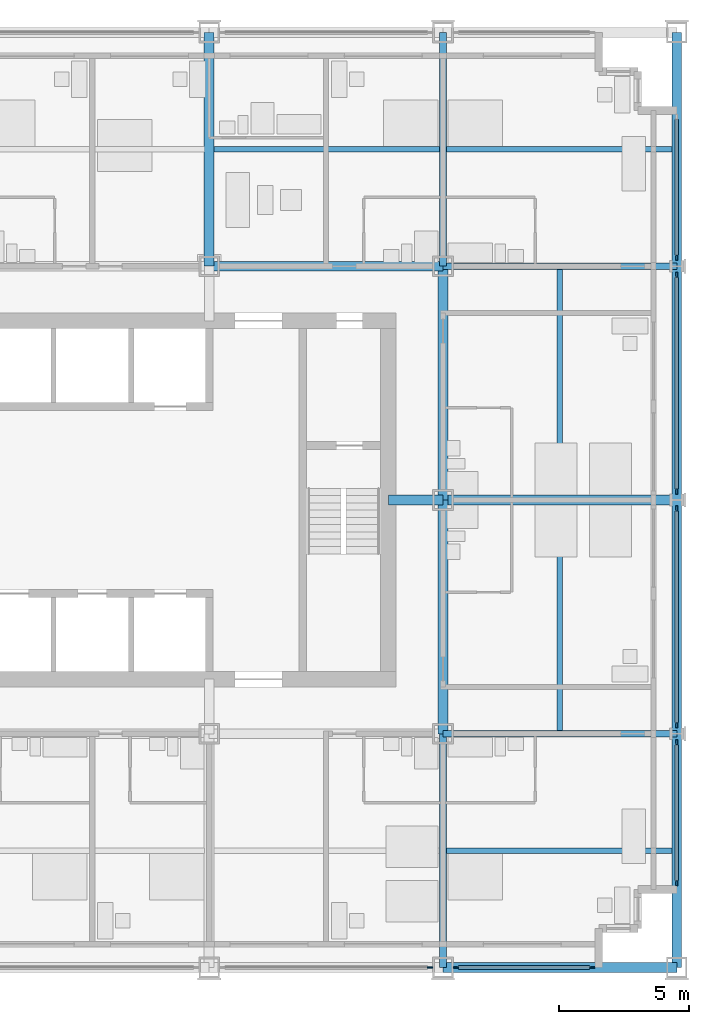
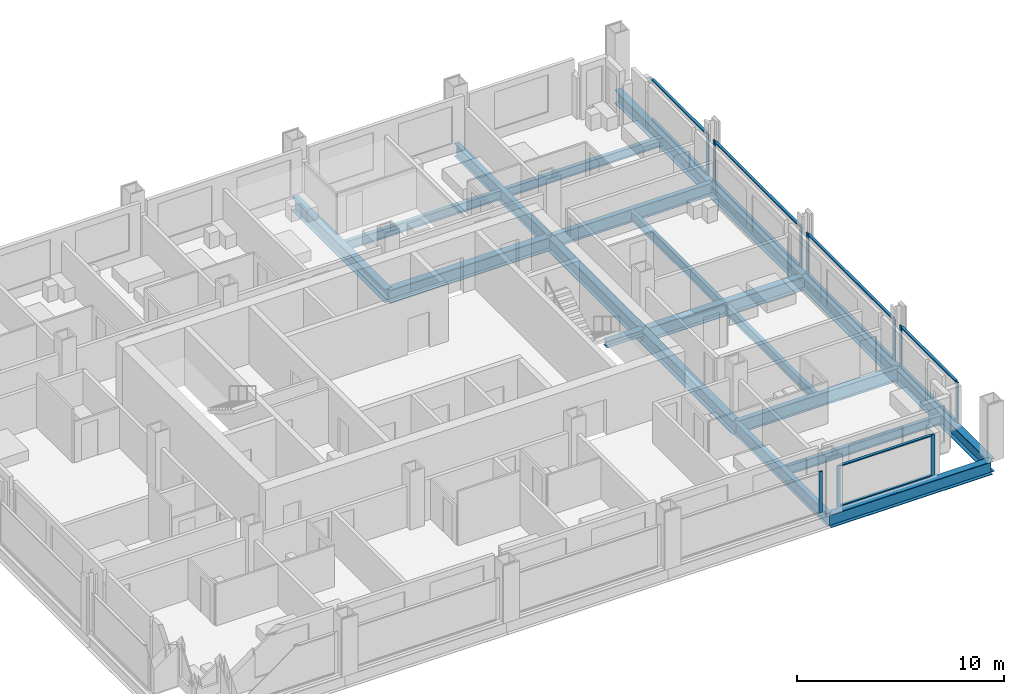
# One storey, part 5 of 16: 21 members, 19 beams, 6 elements without a shape of their own.
"""IFC4 building model written with IfcOpenShell, lengths in metres."""

from ifc_helpers import new_model, si_unit, direction, frame, origin, origin_2d, place, context, subcontext, project, spatial, rectangle, i_section, extrude, material, material_profile, profile_set, type_object, element, aggregate, save


model = new_model("IFC4")

# Units and contexts
model_context = context("Model", 3, precision=1e-05, world=origin(), true_north=direction((0.0, 1.0)))
body_context = subcontext(model_context, "Body", "Model", "MODEL_VIEW")
ifc_project = project(units=[si_unit("LENGTHUNIT", "METRE"), si_unit("AREAUNIT", "SQUARE_METRE"), si_unit("VOLUMEUNIT", "CUBIC_METRE"), si_unit("PLANEANGLEUNIT", "RADIAN"), si_unit("MASSUNIT", "GRAM", prefix="KILO")], contexts=[model_context])

# Site, building, storey
site_placement = place(None, origin())
site = spatial("IfcSite", under=ifc_project, at=site_placement, CompositionType="ELEMENT")
building_placement = place(site_placement, origin())
building = spatial("IfcBuilding", under=site, at=building_placement, Name="Loomwork Tower", CompositionType="ELEMENT")
storey_placement = place(building_placement, frame((0.0, 0.0, 104.39990234375)))
storey = spatial("IfcBuildingStorey", under=building, at=storey_placement, Name="L27", CompositionType="ELEMENT", Elevation=104.39990234375)

# Beams
ifc_material_1 = material(Name="Steel ASTM A992", Category="steel")
ifc_material_profile_1 = material_profile(ifc_material_1, i_section(OverallWidth=0.383544921875, OverallDepth=0.794921875, WebThickness=0.02099609375, FlangeThickness=0.0380859375, at=origin_2d()), Name="W30x235")
ifc_profile_set_1 = profile_set([ifc_material_profile_1], Name="Steel ASTM A992")
beam_type_1 = type_object("IfcBeamType", Name="CORE FLANK GIRDER W30x235", PredefinedType="BEAM", material=ifc_profile_set_1)
for number, where, z_axis, x_axis, name in (
    (1, (36.0, 18.0, -0.597412109375), (1.0, 0.0, 0.0), (0.0, 1.0, 0.0), "Core Flank Girder F/6-F/7 L27"),
    (2, (27.0, 27.0, -0.597412109375), (1.0, 0.0, 0.0), (0.0, 1.0, 0.0), "Core Flank Girder G/5-G/6 L27"),
    (3, (27.0, 27.0, -0.597412109375), (0.0, 1.0, 0.0), (-1.0, 0.0, 0.0), "Core Flank Girder G/5-H/5 L27"),
    (4, (36.0, 9.0, -0.597412109375), (0.0, 1.0, 0.0), (-1.0, 0.0, 0.0), "Core Flank Girder E/6-F/6 L27"),
    (5, (36.0, 18.0, -0.597412109375), (0.0, 1.0, 0.0), (-1.0, 0.0, 0.0), "Core Flank Girder F/6-G/6 L27"),
):
    element("IfcBeam", number, at=place(storey_placement, frame(where, z_axis=z_axis, x_axis=x_axis)), inside=storey, type_object=beam_type_1, Name=name, PredefinedType="BEAM", context=body_context, shape_type="SweptSolid", body=[
        extrude(i_section(OverallWidth=0.383544921875, OverallDepth=0.794921875, WebThickness=0.02099609375, FlangeThickness=0.0380859375, at=origin_2d()), origin(), (0.0, 0.0, 1.0), 9.0),
    ])

# Member
ifc_material_2 = material(Name="Steel ASTM A992", Category="steel")
ifc_material_profile_2 = material_profile(ifc_material_2, i_section(OverallWidth=0.373291015625, OverallDepth=0.373291015625, WebThickness=0.016357421875, FlangeThickness=0.026123046875, at=origin_2d()), Name="W14x132")
ifc_profile_set_2 = profile_set([ifc_material_profile_2], Name="Steel ASTM A992")
member_type_1 = type_object("IfcMemberType", Name="CORE LINK STRUT W14x132", PredefinedType="STRUT", material=ifc_profile_set_2)
member_1_placement = place(storey_placement, frame((36.0, 18.0, -0.386474609375), z_axis=(-1.0, 0.0, 0.0), x_axis=(0.0, -1.0, 0.0)))
element("IfcMember", 6, at=member_1_placement, inside=storey, type_object=member_type_1, Name="Core link strut F/6-33.900,18.000 L27", PredefinedType="STRUT", context=body_context, shape_type="SweptSolid", body=[
    extrude(i_section(OverallWidth=0.373291015625, OverallDepth=0.373291015625, WebThickness=0.016357421875, FlangeThickness=0.026123046875, at=origin_2d()), origin(), (0.0, 0.0, 1.0), 2.10009765625),
])

# Beams
ifc_material_3 = material(Name="Steel ASTM A992", Category="steel")
ifc_material_profile_3 = material_profile(ifc_material_3, i_section(OverallWidth=0.2666015625, OverallDepth=0.761962890625, WebThickness=0.014404296875, FlangeThickness=0.021484375, at=origin_2d()), Name="W30x116")
ifc_profile_set_3 = profile_set([ifc_material_profile_3], Name="Steel ASTM A992")
beam_type_2 = type_object("IfcBeamType", Name="FLOOR GIRDER W30x116", PredefinedType="BEAM", material=ifc_profile_set_3)
for number, where, z_axis, x_axis, name in (
    (7, (36.0, 9.0, -0.580810546875), (1.0, 0.0, 0.0), (0.0, 1.0, 0.0), "Floor Girder E/6-E/7 L27"),
    (8, (36.0, 27.0, -0.580810546875), (1.0, 0.0, 0.0), (0.0, 1.0, 0.0), "Floor Girder G/6-G/7 L27"),
    (9, (36.0, 0.0, -0.580810546875), (0.0, 1.0, 0.0), (-1.0, 0.0, 0.0), "Floor Girder D/6-E/6 L27"),
    (10, (36.0, 27.0, -0.580810546875), (0.0, 1.0, 0.0), (-1.0, 0.0, 0.0), "Floor Girder G/6-H/6 L27"),
):
    element("IfcBeam", number, at=place(storey_placement, frame(where, z_axis=z_axis, x_axis=x_axis)), inside=storey, type_object=beam_type_2, Name=name, PredefinedType="BEAM", context=body_context, shape_type="SweptSolid", body=[
        extrude(i_section(OverallWidth=0.2666015625, OverallDepth=0.761962890625, WebThickness=0.014404296875, FlangeThickness=0.021484375, at=origin_2d()), origin(), (0.0, 0.0, 1.0), 9.0),
    ])
ifc_material_4 = material(Name="Steel ASTM A992", Category="steel")
ifc_material_profile_4 = material_profile(ifc_material_4, i_section(OverallWidth=0.2109375, OverallDepth=0.53857421875, WebThickness=0.011474609375, FlangeThickness=0.018798828125, at=origin_2d()), Name="W21x73")
ifc_profile_set_4 = profile_set([ifc_material_profile_4], Name="Steel ASTM A992")
beam_type_3 = type_object("IfcBeamType", Name="FLOOR JOIST W21x73", PredefinedType="JOIST", material=ifc_profile_set_4)
beam_1_placement = place(storey_placement, frame((27.19091796875, 31.5, -0.46923828125), z_axis=(1.0, 0.0, 0.0), x_axis=(0.0, 1.0, 0.0)))
element("IfcBeam", 11, at=beam_1_placement, inside=storey, type_object=beam_type_3, Name="Floor Joist 27.000,31.500-36.000,31.500 L27", PredefinedType="JOIST", context=body_context, shape_type="SweptSolid", body=[
    extrude(i_section(OverallWidth=0.2109375, OverallDepth=0.53857421875, WebThickness=0.011474609375, FlangeThickness=0.018798828125, at=origin_2d()), origin(), (0.0, 0.0, 1.0), 8.676025390625),
])
beam_2_placement = place(storey_placement, frame((36.133056640625, 4.5, -0.46923828125), z_axis=(1.0, 0.0, 0.0), x_axis=(0.0, 1.0, 0.0)))
element("IfcBeam", 12, at=beam_2_placement, inside=storey, type_object=beam_type_3, Name="Floor Joist 36.000,4.500-45.000,4.500 L27", PredefinedType="JOIST", context=body_context, shape_type="SweptSolid", body=[
    extrude(i_section(OverallWidth=0.2109375, OverallDepth=0.53857421875, WebThickness=0.011474609375, FlangeThickness=0.018798828125, at=origin_2d()), origin(), (0.0, 0.0, 1.0), 8.677001953125),
])
for number, where, z_axis, x_axis, name in (
    (13, (40.5, 9.133056640625, -0.46923828125), (0.0, 1.0, 0.0), (-1.0, 0.0, 0.0), "Floor Joist 40.500,9.000-40.500,18.000 L27"),
    (14, (40.5, 18.19091796875, -0.46923828125), (0.0, 1.0, 0.0), (-1.0, 0.0, 0.0), "Floor Joist 40.500,18.000-40.500,27.000 L27"),
):
    element("IfcBeam", number, at=place(storey_placement, frame(where, z_axis=z_axis, x_axis=x_axis)), inside=storey, type_object=beam_type_3, Name=name, PredefinedType="JOIST", context=body_context, shape_type="SweptSolid", body=[
        extrude(i_section(OverallWidth=0.2109375, OverallDepth=0.53857421875, WebThickness=0.011474609375, FlangeThickness=0.018798828125, at=origin_2d()), origin(), (0.0, 0.0, 1.0), 8.676025390625),
    ])
beam_3_placement = place(storey_placement, frame((36.133056640625, 31.5, -0.46923828125), z_axis=(1.0, 0.0, 0.0), x_axis=(0.0, 1.0, 0.0)))
element("IfcBeam", 15, at=beam_3_placement, inside=storey, type_object=beam_type_3, Name="Floor Joist 36.000,31.500-45.000,31.500 L27", PredefinedType="JOIST", context=body_context, shape_type="SweptSolid", body=[
    extrude(i_section(OverallWidth=0.2109375, OverallDepth=0.53857421875, WebThickness=0.011474609375, FlangeThickness=0.018798828125, at=origin_2d()), origin(), (0.0, 0.0, 1.0), 8.677001953125),
])

# Curtain wall, member
ifc_material_5 = material(Name="Aluminium curtain wall frame", Category="aluminium")
curtain_wall_type = type_object("IfcCurtainWallType", Name="Outer skin glazing hotel", PredefinedType="NOTDEFINED", material=ifc_material_5)
curtain_wall_1_placement = place(storey_placement, origin())
curtain_wall_1 = element("IfcCurtainWall", 16, at=curtain_wall_1_placement, inside=storey, type_object=curtain_wall_type, Name="Outer skin glazing hotel cw/S-27", PredefinedType="NOTDEFINED")
ifc_material_6 = material(Name="Aluminium curtain wall frame", Category="aluminium")
ifc_material_profile_5 = material_profile(ifc_material_6, rectangle(XDim=0.06494140625, YDim=0.199951171875, at=origin_2d()), Name="AL 65x200")
ifc_profile_set_5 = profile_set([ifc_material_profile_5], Name="Aluminium curtain wall frame")
member_type_2 = type_object("IfcMemberType", Name="Outer skin glazing hotel mullion", PredefinedType="MULLION", material=ifc_profile_set_5)
member_2_placement = place(storey_placement, frame((35.5, 0.0, 0.0), z_axis=(0.0, 0.0, 1.0), x_axis=(0.0, 1.0, 0.0)))
member_2 = element("IfcMember", 17, at=member_2_placement, type_object=member_type_2, Name="CW1 mullion 2", PredefinedType="MULLION", context=body_context, shape_type="SweptSolid", body=[
    extrude(rectangle(XDim=0.06494140625, YDim=0.199951171875, at=origin_2d()), origin(), (0.0, 0.0, 1.0), 2.42041015625),
])
aggregate(curtain_wall_1, [member_2])

# Curtain wall, members
curtain_wall_2_placement = place(storey_placement, origin())
curtain_wall_2 = element("IfcCurtainWall", 18, at=curtain_wall_2_placement, inside=storey, type_object=curtain_wall_type, Name="Outer skin glazing hotel cw/S-36", PredefinedType="NOTDEFINED")
member_3_placement = place(storey_placement, frame((36.5, 0.0, 0.0), z_axis=(0.0, 0.0, 1.0), x_axis=(0.0, 1.0, 0.0)))
member_3 = element("IfcMember", 19, at=member_3_placement, type_object=member_type_2, Name="CW1 mullion 1", PredefinedType="MULLION", context=body_context, shape_type="SweptSolid", body=[
    extrude(rectangle(XDim=0.06494140625, YDim=0.199951171875, at=origin_2d()), origin(), (0.0, 0.0, 1.0), 2.42041015625),
])
member_4_placement = place(storey_placement, frame((41.75, 0.0, 0.0), z_axis=(0.0, 0.0, 1.0), x_axis=(0.0, 1.0, 0.0)))
member_4 = element("IfcMember", 20, at=member_4_placement, type_object=member_type_2, Name="CW1 mullion 2", PredefinedType="MULLION", context=body_context, shape_type="SweptSolid", body=[
    extrude(rectangle(XDim=0.06494140625, YDim=0.199951171875, at=origin_2d()), origin(), (0.0, 0.0, 1.0), 2.42041015625),
])

curtain_wall_3_placement = place(storey_placement, origin())
curtain_wall_3 = element("IfcCurtainWall", 21, at=curtain_wall_3_placement, inside=storey, type_object=curtain_wall_type, Name="Outer skin glazing hotel cw/E-0", PredefinedType="NOTDEFINED")
member_5_placement = place(storey_placement, frame((45.0, 3.25, 0.0), z_axis=(0.0, 0.0, 1.0), x_axis=(-1.0, 0.0, 0.0)))
member_5 = element("IfcMember", 22, at=member_5_placement, type_object=member_type_2, Name="CW1 mullion 1", PredefinedType="MULLION", context=body_context, shape_type="SweptSolid", body=[
    extrude(rectangle(XDim=0.06494140625, YDim=0.199951171875, at=origin_2d()), origin(), (0.0, 0.0, 1.0), 2.42041015625),
])
member_6_placement = place(storey_placement, frame((45.0, 8.67529296875, 0.0), z_axis=(0.0, 0.0, 1.0), x_axis=(-1.0, 0.0, 0.0)))
member_6 = element("IfcMember", 23, at=member_6_placement, type_object=member_type_2, Name="CW1 mullion 2", PredefinedType="MULLION", context=body_context, shape_type="SweptSolid", body=[
    extrude(rectangle(XDim=0.06494140625, YDim=0.199951171875, at=origin_2d()), origin(), (0.0, 0.0, 1.0), 2.42041015625),
])

curtain_wall_4_placement = place(storey_placement, origin())
curtain_wall_4 = element("IfcCurtainWall", 24, at=curtain_wall_4_placement, inside=storey, type_object=curtain_wall_type, Name="Outer skin glazing hotel cw/E-9", PredefinedType="NOTDEFINED")
member_7_placement = place(storey_placement, frame((45.0, 9.32470703125, 0.0), z_axis=(0.0, 0.0, 1.0), x_axis=(-1.0, 0.0, 0.0)))
member_7 = element("IfcMember", 25, at=member_7_placement, type_object=member_type_2, Name="CW1 mullion 1", PredefinedType="MULLION", context=body_context, shape_type="SweptSolid", body=[
    extrude(rectangle(XDim=0.06494140625, YDim=0.199951171875, at=origin_2d()), origin(), (0.0, 0.0, 1.0), 2.42041015625),
])
member_8_placement = place(storey_placement, frame((45.0, 17.67529296875, 0.0), z_axis=(0.0, 0.0, 1.0), x_axis=(-1.0, 0.0, 0.0)))
member_8 = element("IfcMember", 26, at=member_8_placement, type_object=member_type_2, Name="CW1 mullion 2", PredefinedType="MULLION", context=body_context, shape_type="SweptSolid", body=[
    extrude(rectangle(XDim=0.06494140625, YDim=0.199951171875, at=origin_2d()), origin(), (0.0, 0.0, 1.0), 2.42041015625),
])

curtain_wall_5_placement = place(storey_placement, origin())
curtain_wall_5 = element("IfcCurtainWall", 27, at=curtain_wall_5_placement, inside=storey, type_object=curtain_wall_type, Name="Outer skin glazing hotel cw/E-18", PredefinedType="NOTDEFINED")
member_9_placement = place(storey_placement, frame((45.0, 18.32470703125, 0.0), z_axis=(0.0, 0.0, 1.0), x_axis=(-1.0, 0.0, 0.0)))
member_9 = element("IfcMember", 28, at=member_9_placement, type_object=member_type_2, Name="CW1 mullion 1", PredefinedType="MULLION", context=body_context, shape_type="SweptSolid", body=[
    extrude(rectangle(XDim=0.06494140625, YDim=0.199951171875, at=origin_2d()), origin(), (0.0, 0.0, 1.0), 2.42041015625),
])
member_10_placement = place(storey_placement, frame((45.0, 26.67529296875, 0.0), z_axis=(0.0, 0.0, 1.0), x_axis=(-1.0, 0.0, 0.0)))
member_10 = element("IfcMember", 29, at=member_10_placement, type_object=member_type_2, Name="CW1 mullion 2", PredefinedType="MULLION", context=body_context, shape_type="SweptSolid", body=[
    extrude(rectangle(XDim=0.06494140625, YDim=0.199951171875, at=origin_2d()), origin(), (0.0, 0.0, 1.0), 2.42041015625),
])

# Curtain wall, member
curtain_wall_6_placement = place(storey_placement, origin())
curtain_wall_6 = element("IfcCurtainWall", 30, at=curtain_wall_6_placement, inside=storey, type_object=curtain_wall_type, Name="Outer skin glazing hotel cw/E-27", PredefinedType="NOTDEFINED")
member_11_placement = place(storey_placement, frame((45.0, 27.32470703125, 0.0), z_axis=(0.0, 0.0, 1.0), x_axis=(-1.0, 0.0, 0.0)))
member_11 = element("IfcMember", 31, at=member_11_placement, type_object=member_type_2, Name="CW1 mullion 1", PredefinedType="MULLION", context=body_context, shape_type="SweptSolid", body=[
    extrude(rectangle(XDim=0.06494140625, YDim=0.199951171875, at=origin_2d()), origin(), (0.0, 0.0, 1.0), 2.42041015625),
])

# Member
ifc_material_7 = material(Name="Aluminium curtain wall frame", Category="aluminium")
ifc_material_profile_6 = material_profile(ifc_material_7, rectangle(XDim=0.14990234375, YDim=0.06494140625, at=origin_2d()), Name="AL 65x150")
ifc_profile_set_6 = profile_set([ifc_material_profile_6], Name="Aluminium curtain wall frame")
member_type_3 = type_object("IfcMemberType", Name="Outer skin glazing hotel transom", PredefinedType="USERDEFINED", material=ifc_profile_set_6)
member_12_placement = place(storey_placement, frame((36.60009765625, 0.0, 0.03271484375), z_axis=(1.0, 0.0, 0.0), x_axis=(0.0, 1.0, 0.0)))
member_12 = element("IfcMember", 32, at=member_12_placement, type_object=member_type_3, Name="CW1 transom 1.1", ObjectType="TRANSOM", PredefinedType="USERDEFINED", context=body_context, shape_type="SweptSolid", body=[
    extrude(rectangle(XDim=0.14990234375, YDim=0.06494140625, at=origin_2d()), origin(), (0.0, 0.0, 1.0), 5.0498046875),
])

member_13_placement = place(storey_placement, frame((36.60009765625, 0.0, 2.3876953125), z_axis=(1.0, 0.0, 0.0), x_axis=(0.0, 1.0, 0.0)))
member_13 = element("IfcMember", 33, at=member_13_placement, type_object=member_type_3, Name="CW1 transom 1.2", ObjectType="TRANSOM", PredefinedType="USERDEFINED", context=body_context, shape_type="SweptSolid", body=[
    extrude(rectangle(XDim=0.14990234375, YDim=0.06494140625, at=origin_2d()), origin(), (0.0, 0.0, 1.0), 5.0498046875),
])

aggregate(curtain_wall_2, [member_3, member_4, member_12, member_13])

member_14_placement = place(storey_placement, frame((45.0, 3.35009765625, 0.03271484375), z_axis=(0.0, 1.0, 0.0), x_axis=(-1.0, 0.0, 0.0)))
member_14 = element("IfcMember", 34, at=member_14_placement, type_object=member_type_3, Name="CW1 transom 1.1", ObjectType="TRANSOM", PredefinedType="USERDEFINED", context=body_context, shape_type="SweptSolid", body=[
    extrude(rectangle(XDim=0.14990234375, YDim=0.06494140625, at=origin_2d()), origin(), (0.0, 0.0, 1.0), 5.22509765625),
])

member_15_placement = place(storey_placement, frame((45.0, 3.35009765625, 2.3876953125), z_axis=(0.0, 1.0, 0.0), x_axis=(-1.0, 0.0, 0.0)))
member_15 = element("IfcMember", 35, at=member_15_placement, type_object=member_type_3, Name="CW1 transom 1.2", ObjectType="TRANSOM", PredefinedType="USERDEFINED", context=body_context, shape_type="SweptSolid", body=[
    extrude(rectangle(XDim=0.14990234375, YDim=0.06494140625, at=origin_2d()), origin(), (0.0, 0.0, 1.0), 5.22509765625),
])

aggregate(curtain_wall_3, [member_5, member_6, member_14, member_15])

member_16_placement = place(storey_placement, frame((45.0, 9.4248046875, 0.03271484375), z_axis=(0.0, 1.0, 0.0), x_axis=(-1.0, 0.0, 0.0)))
member_16 = element("IfcMember", 36, at=member_16_placement, type_object=member_type_3, Name="CW1 transom 1.1", ObjectType="TRANSOM", PredefinedType="USERDEFINED", context=body_context, shape_type="SweptSolid", body=[
    extrude(rectangle(XDim=0.14990234375, YDim=0.06494140625, at=origin_2d()), origin(), (0.0, 0.0, 1.0), 8.150390625),
])

member_17_placement = place(storey_placement, frame((45.0, 9.4248046875, 2.3876953125), z_axis=(0.0, 1.0, 0.0), x_axis=(-1.0, 0.0, 0.0)))
member_17 = element("IfcMember", 37, at=member_17_placement, type_object=member_type_3, Name="CW1 transom 1.2", ObjectType="TRANSOM", PredefinedType="USERDEFINED", context=body_context, shape_type="SweptSolid", body=[
    extrude(rectangle(XDim=0.14990234375, YDim=0.06494140625, at=origin_2d()), origin(), (0.0, 0.0, 1.0), 8.150390625),
])

aggregate(curtain_wall_4, [member_7, member_8, member_16, member_17])

member_18_placement = place(storey_placement, frame((45.0, 18.4248046875, 0.03271484375), z_axis=(0.0, 1.0, 0.0), x_axis=(-1.0, 0.0, 0.0)))
member_18 = element("IfcMember", 38, at=member_18_placement, type_object=member_type_3, Name="CW1 transom 1.1", ObjectType="TRANSOM", PredefinedType="USERDEFINED", context=body_context, shape_type="SweptSolid", body=[
    extrude(rectangle(XDim=0.14990234375, YDim=0.06494140625, at=origin_2d()), origin(), (0.0, 0.0, 1.0), 8.150390625),
])

member_19_placement = place(storey_placement, frame((45.0, 18.4248046875, 2.3876953125), z_axis=(0.0, 1.0, 0.0), x_axis=(-1.0, 0.0, 0.0)))
member_19 = element("IfcMember", 39, at=member_19_placement, type_object=member_type_3, Name="CW1 transom 1.2", ObjectType="TRANSOM", PredefinedType="USERDEFINED", context=body_context, shape_type="SweptSolid", body=[
    extrude(rectangle(XDim=0.14990234375, YDim=0.06494140625, at=origin_2d()), origin(), (0.0, 0.0, 1.0), 8.150390625),
])

aggregate(curtain_wall_5, [member_9, member_10, member_18, member_19])

member_20_placement = place(storey_placement, frame((45.0, 27.4248046875, 0.03271484375), z_axis=(0.0, 1.0, 0.0), x_axis=(-1.0, 0.0, 0.0)))
member_20 = element("IfcMember", 40, at=member_20_placement, type_object=member_type_3, Name="CW1 transom 1.1", ObjectType="TRANSOM", PredefinedType="USERDEFINED", context=body_context, shape_type="SweptSolid", body=[
    extrude(rectangle(XDim=0.14990234375, YDim=0.06494140625, at=origin_2d()), origin(), (0.0, 0.0, 1.0), 5.22509765625),
])

member_21_placement = place(storey_placement, frame((45.0, 27.4248046875, 2.3876953125), z_axis=(0.0, 1.0, 0.0), x_axis=(-1.0, 0.0, 0.0)))
member_21 = element("IfcMember", 41, at=member_21_placement, type_object=member_type_3, Name="CW1 transom 1.2", ObjectType="TRANSOM", PredefinedType="USERDEFINED", context=body_context, shape_type="SweptSolid", body=[
    extrude(rectangle(XDim=0.14990234375, YDim=0.06494140625, at=origin_2d()), origin(), (0.0, 0.0, 1.0), 5.22509765625),
])

aggregate(curtain_wall_6, [member_11, member_20, member_21])

# Beams
ifc_material_8 = material(Name="Steel ASTM A992", Category="steel")
ifc_material_profile_7 = material_profile(ifc_material_8, i_section(OverallWidth=0.381103515625, OverallDepth=0.77978515625, WebThickness=0.01806640625, FlangeThickness=0.0302734375, at=origin_2d()), Name="W30x191")
ifc_profile_set_7 = profile_set([ifc_material_profile_7], Name="Steel ASTM A992")
beam_type_4 = type_object("IfcBeamType", Name="SPANDREL GIRDER W30x191", PredefinedType="SPANDREL", material=ifc_profile_set_7)
for number, where, z_axis, x_axis, name in (
    (42, (36.0, 0.0, -0.58984375), (1.0, 0.0, 0.0), (0.0, 1.0, 0.0), "Spandrel Girder D/6-D/7 L27"),
    (43, (45.0, 0.0, -0.58984375), (0.0, 1.0, 0.0), (-1.0, 0.0, 0.0), "Spandrel Girder D/7-E/7 L27"),
    (44, (45.0, 9.0, -0.58984375), (0.0, 1.0, 0.0), (-1.0, 0.0, 0.0), "Spandrel Girder E/7-F/7 L27"),
    (45, (45.0, 18.0, -0.58984375), (0.0, 1.0, 0.0), (-1.0, 0.0, 0.0), "Spandrel Girder F/7-G/7 L27"),
    (46, (45.0, 27.0, -0.58984375), (0.0, 1.0, 0.0), (-1.0, 0.0, 0.0), "Spandrel Girder G/7-H/7 L27"),
):
    element("IfcBeam", number, at=place(storey_placement, frame(where, z_axis=z_axis, x_axis=x_axis)), inside=storey, type_object=beam_type_4, Name=name, PredefinedType="SPANDREL", context=body_context, shape_type="SweptSolid", body=[
        extrude(i_section(OverallWidth=0.381103515625, OverallDepth=0.77978515625, WebThickness=0.01806640625, FlangeThickness=0.0302734375, at=origin_2d()), origin(), (0.0, 0.0, 1.0), 9.0),
    ])

save(model, "model.ifc")
